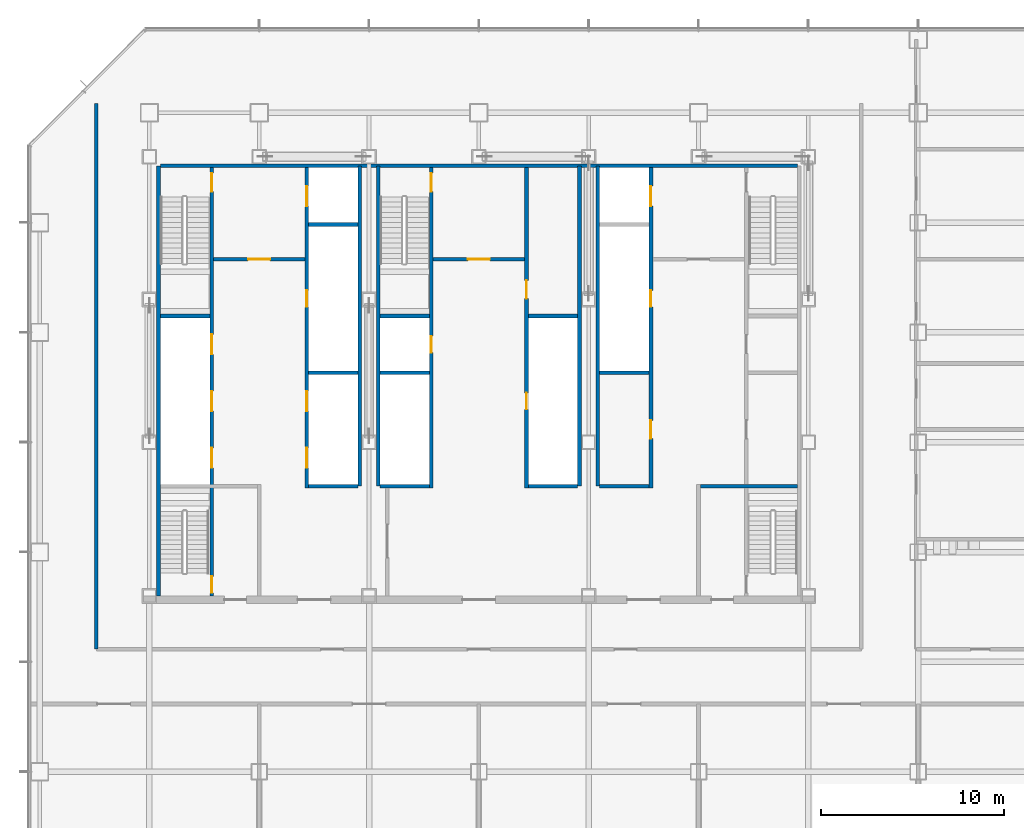
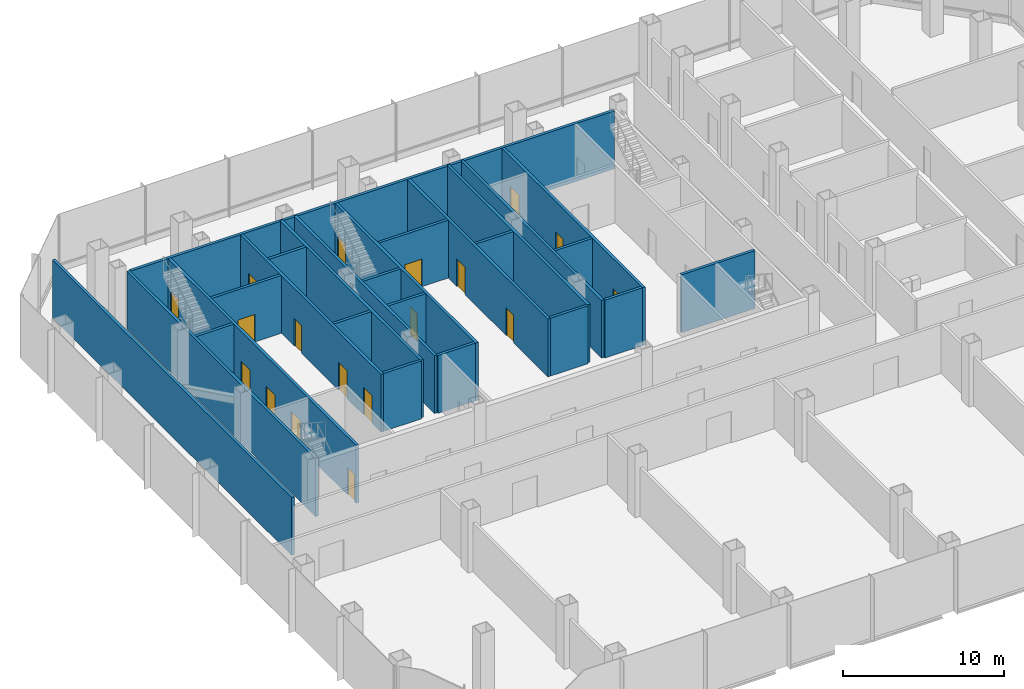
# One storey, part 24 of 33: 26 walls, 18 doors, 18 openings.
"""IFC4 building model written with IfcOpenShell, lengths in metres."""

from ifc_helpers import new_model, si_unit, direction, frame, frame_2d, origin, place, context, subcontext, project, spatial, rectangle, extrude, material, layer, layer_set, type_object, element, fill, save


model = new_model("IFC4")

# Units and contexts
model_context = context("Model", 3, precision=1e-05, world=origin(), true_north=direction((0.0, 1.0)))
body_context = subcontext(model_context, "Body", "Model", "MODEL_VIEW")
ifc_project = project(units=[si_unit("LENGTHUNIT", "METRE"), si_unit("AREAUNIT", "SQUARE_METRE"), si_unit("VOLUMEUNIT", "CUBIC_METRE"), si_unit("PLANEANGLEUNIT", "RADIAN"), si_unit("MASSUNIT", "GRAM", prefix="KILO")], contexts=[model_context])

# Site, building, storey
site_placement = place(None, origin())
site = spatial("IfcSite", under=ifc_project, at=site_placement, CompositionType="ELEMENT")
building_placement = place(site_placement, origin())
building = spatial("IfcBuilding", under=site, at=building_placement, Name="Sorahane Residences", CompositionType="ELEMENT")
storey_placement = place(building_placement, frame((0.0, 0.0, 25.199951171875)))
storey = spatial("IfcBuildingStorey", under=building, at=storey_placement, Name="L03", CompositionType="ELEMENT", Elevation=25.199951171875)

# Walls
ifc_material_1 = material(Name="Concrete C30", Category="concrete")
ifc_layer_1 = layer(ifc_material_1, 0.199951171875)
ifc_layer_set_1 = layer_set([ifc_layer_1], Name="Core face wall 200 EI 180")
wall_type_1 = type_object("IfcWallType", Name="Core face wall 200 EI 180", PredefinedType="SOLIDWALL", material=ifc_layer_set_1)
wall_1_placement = place(storey_placement, frame((6.5, 21.60009765625, 0.0), z_axis=(0.0, 0.0, 1.0), x_axis=(0.0, 1.0, 0.0)))
element("IfcWall", 1, at=wall_1_placement, inside=storey, type_object=wall_type_1, Name="L03 core face wall", PredefinedType="SOLIDWALL", context=body_context, shape_type="SweptSolid", body=[
    extrude(rectangle(XDim=23.5, YDim=0.199951171875, at=frame_2d((11.75, 0.0))), origin(), (0.0, 0.0, 1.0), 4.400146484375),
])
wall_2_placement = place(storey_placement, frame((6.60009765625, 45.10009765625, 0.0), z_axis=(0.0, 0.0, 1.0), x_axis=(1.0, 0.0, 0.0)))
element("IfcWall", 2, at=wall_2_placement, inside=storey, type_object=wall_type_1, Name="L03 core face wall", PredefinedType="SOLIDWALL", context=body_context, shape_type="SweptSolid", body=[
    extrude(rectangle(XDim=34.7998046875, YDim=0.199951171875, at=frame_2d((17.39990234375, 0.0))), origin(), (0.0, 0.0, 1.0), 4.400146484375),
])
for number, where, z_axis, x_axis, name in (
    (3, (17.5, 27.60009765625, 0.0), (0.0, 0.0, 1.0), (0.0, 1.0, 0.0), "L03 core face wall"),
    (4, (18.5, 27.60009765625, 0.0), (0.0, 0.0, 1.0), (0.0, 1.0, 0.0), "L03 core face wall"),
    (5, (29.5, 27.60009765625, 0.0), (0.0, 0.0, 1.0), (0.0, 1.0, 0.0), "L03 core face wall"),
    (6, (30.5, 27.60009765625, 0.0), (0.0, 0.0, 1.0), (0.0, 1.0, 0.0), "L03 core face wall"),
):
    element("IfcWall", number, at=place(storey_placement, frame(where, z_axis=z_axis, x_axis=x_axis)), inside=storey, type_object=wall_type_1, Name=name, PredefinedType="SOLIDWALL", context=body_context, shape_type="SweptSolid", body=[
        extrude(rectangle(XDim=17.5, YDim=0.199951171875, at=frame_2d((8.75, 0.0))), origin(), (0.0, 0.0, 1.0), 4.400146484375),
    ])
ifc_material_2 = material(Name="Concrete blockwork C20 wall", Category="masonry")
ifc_layer_2 = layer(ifc_material_2, 0.199951171875)
ifc_layer_set_2 = layer_set([ifc_layer_2], Name="Corridor wall 200 EI 120")
wall_type_2 = type_object("IfcWallType", Name="Corridor wall 200 EI 120", PredefinedType="SOLIDWALL", material=ifc_layer_set_2)
wall_3_placement = place(storey_placement, frame((3.10009765625, 18.699951171875, 0.0), z_axis=(0.0, 0.0, 1.0), x_axis=(0.0, 1.0, 0.0)))
element("IfcWall", 7, at=wall_3_placement, inside=storey, type_object=wall_type_2, Name="L03 corridor wall", PredefinedType="SOLIDWALL", context=body_context, shape_type="SweptSolid", body=[
    extrude(rectangle(XDim=29.800048828125, YDim=0.199951171875, at=frame_2d((14.89990234375, 0.0))), origin(), (0.0, 0.0, 1.0), 4.400146484375),
])

# Wall, opening, door
ifc_material_3 = material(Name="Concrete C30", Category="concrete")
ifc_layer_3 = layer(ifc_material_3, 0.199951171875)
ifc_layer_set_3 = layer_set([ifc_layer_3], Name="Front room wall 200 EI 120")
wall_type_3 = type_object("IfcWallType", Name="Front room wall 200 EI 120", PredefinedType="PARTITIONING", material=ifc_layer_set_3)
wall_4_placement = place(storey_placement, frame((21.5, 40.0, 0.0), z_axis=(0.0, 0.0, 1.0), x_axis=(1.0, 0.0, 0.0)))
wall_4 = element("IfcWall", 8, at=wall_4_placement, inside=storey, type_object=wall_type_3, Name="L03 front room wall", PredefinedType="PARTITIONING", context=body_context, shape_type="SweptSolid", body=[
    extrude(rectangle(XDim=5.0, YDim=0.199951171875, at=frame_2d((2.5, 0.0))), origin(), (0.0, 0.0, 1.0), 4.400146484375),
])
opening_1_placement = place(wall_4_placement, frame((1.89990234375, 0.0, 0.0)))
opening_1 = element("IfcOpeningElement", 9, at=opening_1_placement, cuts=wall_4, Name="Opening L03-C08", PredefinedType="OPENING", context=body_context, shape_type="SweptSolid", body=[
    extrude(rectangle(XDim=1.199951171875, YDim=2.10009765625, at=frame_2d((0.60009765625, 1.050048828125))), frame((0.0, 0.10986328125, 0.0), z_axis=(0.0, -1.0, 0.0), x_axis=(1.0, 0.0, 0.0)), (0.0, 0.0, 1.0), 0.219970703125),
])
ifc_material_4 = material(Name="Steel", Category="steel")
door_type_1 = type_object("IfcDoorType", Name="Front room door 1200x2100 FD120", OperationType="NOTDEFINED", PredefinedType="DOOR", material=ifc_material_4)
door_1_placement = place(opening_1_placement, frame((1.199951171875, 0.0, 0.0), z_axis=(0.0, 0.0, 1.0), x_axis=(-1.0, 0.0, 0.0)))
door_1 = element("IfcDoor", 10, at=door_1_placement, inside=storey, type_object=door_type_1, Name="Front room door Stair S3 vestibule L03", OperationType="DOUBLE_DOOR_SINGLE_SWING", OverallHeight=2.10009765625, OverallWidth=1.199951171875, PredefinedType="DOOR", context=body_context, shape_type="SweptSolid", body=[
    extrude(rectangle(XDim=1.199951171875, YDim=2.10009765625, at=frame_2d((0.60009765625, 1.050048828125))), frame((0.0, 0.02490234375, 0.0), z_axis=(0.0, -1.0, 0.0), x_axis=(1.0, 0.0, 0.0)), (0.0, 0.0, 1.0), 0.050048828125),
])
fill(opening_1, door_1)

wall_5_placement = place(storey_placement, frame((9.5, 40.0, 0.0), z_axis=(0.0, 0.0, 1.0), x_axis=(1.0, 0.0, 0.0)))
wall_5 = element("IfcWall", 11, at=wall_5_placement, inside=storey, type_object=wall_type_3, Name="L03 front room wall", PredefinedType="PARTITIONING", context=body_context, shape_type="SweptSolid", body=[
    extrude(rectangle(XDim=5.0, YDim=0.199951171875, at=frame_2d((2.5, 0.0))), origin(), (0.0, 0.0, 1.0), 4.400146484375),
])
opening_2_placement = place(wall_5_placement, frame((1.89990234375, 0.0, 0.0)))
opening_2 = element("IfcOpeningElement", 12, at=opening_2_placement, cuts=wall_5, Name="Opening L03-C07", PredefinedType="OPENING", context=body_context, shape_type="SweptSolid", body=[
    extrude(rectangle(XDim=1.199951171875, YDim=2.10009765625, at=frame_2d((0.60009765625, 1.050048828125))), frame((0.0, 0.10986328125, 0.0), z_axis=(0.0, -1.0, 0.0), x_axis=(1.0, 0.0, 0.0)), (0.0, 0.0, 1.0), 0.219970703125),
])
door_2_placement = place(opening_2_placement, frame((1.199951171875, 0.0, 0.0), z_axis=(0.0, 0.0, 1.0), x_axis=(-1.0, 0.0, 0.0)))
door_2 = element("IfcDoor", 13, at=door_2_placement, inside=storey, type_object=door_type_1, Name="Front room door Firefighting lobby FF1 front room L03", OperationType="DOUBLE_DOOR_SINGLE_SWING", OverallHeight=2.10009765625, OverallWidth=1.199951171875, PredefinedType="DOOR", context=body_context, shape_type="SweptSolid", body=[
    extrude(rectangle(XDim=1.199951171875, YDim=2.10009765625, at=frame_2d((0.60009765625, 1.050048828125))), frame((0.0, 0.02490234375, 0.0), z_axis=(0.0, -1.0, 0.0), x_axis=(1.0, 0.0, 0.0)), (0.0, 0.0, 1.0), 0.050048828125),
])
fill(opening_2, door_2)

# Wall, openings, doors
ifc_material_5 = material(Name="Concrete C30", Category="concrete")
ifc_layer_4 = layer(ifc_material_5, 0.199951171875)
ifc_layer_set_4 = layer_set([ifc_layer_4], Name="Lift shaft wall 200 EI 120")
wall_type_4 = type_object("IfcWallType", Name="Lift shaft wall 200 EI 120", PredefinedType="SOLIDWALL", material=ifc_layer_set_4)
wall_6_placement = place(storey_placement, frame((14.60009765625, 27.5, 0.0), z_axis=(0.0, 0.0, 1.0), x_axis=(0.0, 1.0, 0.0)))
wall_6 = element("IfcWall", 14, at=wall_6_placement, inside=storey, type_object=wall_type_4, Name="L03 lift shaft wall", PredefinedType="SOLIDWALL", context=body_context, shape_type="SweptSolid", body=[
    extrude(rectangle(XDim=17.5, YDim=0.199951171875, at=frame_2d((8.75, 0.0))), origin(), (0.0, 0.0, 1.0), 4.400146484375),
])
opening_3_placement = place(wall_6_placement, frame((1.10009765625, 0.0, 0.0)))
opening_3 = element("IfcOpeningElement", 15, at=opening_3_placement, cuts=wall_6, Name="Opening L03-C11", PredefinedType="OPENING", context=body_context, shape_type="SweptSolid", body=[
    extrude(rectangle(XDim=1.10009765625, YDim=2.10009765625, at=frame_2d((0.550048828125, 1.050048828125))), frame((0.0, 0.10986328125, 0.0), z_axis=(0.0, -1.0, 0.0), x_axis=(1.0, 0.0, 0.0)), (0.0, 0.0, 1.0), 0.219970703125),
])
opening_4_placement = place(wall_6_placement, frame((4.199951171875, 0.0, 0.0)))
opening_4 = element("IfcOpeningElement", 16, at=opening_4_placement, cuts=wall_6, Name="Opening L03-C12", PredefinedType="OPENING", context=body_context, shape_type="SweptSolid", body=[
    extrude(rectangle(XDim=1.10009765625, YDim=2.10009765625, at=frame_2d((0.550048828125, 1.050048828125))), frame((0.0, 0.10986328125, 0.0), z_axis=(0.0, -1.0, 0.0), x_axis=(1.0, 0.0, 0.0)), (0.0, 0.0, 1.0), 0.219970703125),
])
opening_5_placement = place(wall_6_placement, frame((15.39990234375, 0.0, 0.0)))
opening_5 = element("IfcOpeningElement", 17, at=opening_5_placement, cuts=wall_6, Name="Opening L03-C13", PredefinedType="OPENING", context=body_context, shape_type="SweptSolid", body=[
    extrude(rectangle(XDim=1.10009765625, YDim=2.10009765625, at=frame_2d((0.550048828125, 1.050048828125))), frame((0.0, 0.10986328125, 0.0), z_axis=(0.0, -1.0, 0.0), x_axis=(1.0, 0.0, 0.0)), (0.0, 0.0, 1.0), 0.219970703125),
])
opening_6_placement = place(wall_6_placement, frame((9.89990234375, 0.0, 0.0)))
opening_6 = element("IfcOpeningElement", 18, at=opening_6_placement, cuts=wall_6, Name="Opening L03-C25", PredefinedType="OPENING", context=body_context, shape_type="SweptSolid", body=[
    extrude(rectangle(XDim=0.89990234375, YDim=2.10009765625, at=frame_2d((0.449951171875, 1.050048828125))), frame((0.0, 0.10986328125, 0.0), z_axis=(0.0, -1.0, 0.0), x_axis=(1.0, 0.0, 0.0)), (0.0, 0.0, 1.0), 0.219970703125),
])
ifc_material_6 = material(Name="Aluminium and stainless steel", Category="steel")
door_type_2 = type_object("IfcDoorType", Name="Lift landing door 1100x2100 E 60", OperationType="NOTDEFINED", PredefinedType="DOOR", material=ifc_material_6)
door_3_placement = place(opening_3_placement, origin())
door_3 = element("IfcDoor", 19, at=door_3_placement, inside=storey, type_object=door_type_2, Name="Lift landing door LR4 L03", OperationType="DOUBLE_DOOR_SLIDING", OverallHeight=2.10009765625, OverallWidth=1.10009765625, PredefinedType="DOOR", context=body_context, shape_type="SweptSolid", body=[
    extrude(rectangle(XDim=1.10009765625, YDim=2.10009765625, at=frame_2d((0.550048828125, 1.050048828125))), frame((0.0, 0.02490234375, 0.0), z_axis=(0.0, -1.0, 0.0), x_axis=(1.0, 0.0, 0.0)), (0.0, 0.0, 1.0), 0.050048828125),
])
fill(opening_3, door_3)
door_4_placement = place(opening_4_placement, origin())
door_4 = element("IfcDoor", 20, at=door_4_placement, inside=storey, type_object=door_type_2, Name="Lift landing door LR5 L03", OperationType="DOUBLE_DOOR_SLIDING", OverallHeight=2.10009765625, OverallWidth=1.10009765625, PredefinedType="DOOR", context=body_context, shape_type="SweptSolid", body=[
    extrude(rectangle(XDim=1.10009765625, YDim=2.10009765625, at=frame_2d((0.550048828125, 1.050048828125))), frame((0.0, 0.02490234375, 0.0), z_axis=(0.0, -1.0, 0.0), x_axis=(1.0, 0.0, 0.0)), (0.0, 0.0, 1.0), 0.050048828125),
])
fill(opening_4, door_4)
door_5_placement = place(opening_5_placement, origin())
door_5 = element("IfcDoor", 21, at=door_5_placement, inside=storey, type_object=door_type_2, Name="Lift landing door FF1 L03", OperationType="DOUBLE_DOOR_SLIDING", OverallHeight=2.10009765625, OverallWidth=1.10009765625, PredefinedType="DOOR", context=body_context, shape_type="SweptSolid", body=[
    extrude(rectangle(XDim=1.10009765625, YDim=2.10009765625, at=frame_2d((0.550048828125, 1.050048828125))), frame((0.0, 0.02490234375, 0.0), z_axis=(0.0, -1.0, 0.0), x_axis=(1.0, 0.0, 0.0)), (0.0, 0.0, 1.0), 0.050048828125),
])
fill(opening_5, door_5)
ifc_material_7 = material(Name="Steel", Category="steel")
door_type_3 = type_object("IfcDoorType", Name="Riser door 900x2100 FD120", OperationType="NOTDEFINED", PredefinedType="DOOR", material=ifc_material_7)
door_6_placement = place(opening_6_placement, origin())
door_6 = element("IfcDoor", 22, at=door_6_placement, inside=storey, type_object=door_type_3, Name="Riser door R1 L03", OperationType="SINGLE_SWING_LEFT", OverallHeight=2.10009765625, OverallWidth=0.89990234375, PredefinedType="DOOR", context=body_context, shape_type="SweptSolid", body=[
    extrude(rectangle(XDim=0.89990234375, YDim=2.10009765625, at=frame_2d((0.449951171875, 1.050048828125))), frame((0.0, 0.02490234375, 0.0), z_axis=(0.0, -1.0, 0.0), x_axis=(1.0, 0.0, 0.0)), (0.0, 0.0, 1.0), 0.050048828125),
])
fill(opening_6, door_6)

wall_7_placement = place(storey_placement, frame((33.39990234375, 27.5, 0.0), z_axis=(0.0, 0.0, 1.0), x_axis=(0.0, 1.0, 0.0)))
wall_7 = element("IfcWall", 23, at=wall_7_placement, inside=storey, type_object=wall_type_4, Name="L03 lift shaft wall", PredefinedType="SOLIDWALL", context=body_context, shape_type="SweptSolid", body=[
    extrude(rectangle(XDim=17.5, YDim=0.199951171875, at=frame_2d((8.75, 0.0))), origin(), (0.0, 0.0, 1.0), 4.400146484375),
])
opening_7_placement = place(wall_7_placement, frame((15.39990234375, 0.0, 0.0)))
opening_7 = element("IfcOpeningElement", 24, at=opening_7_placement, cuts=wall_7, Name="Opening L03-C10", PredefinedType="OPENING", context=body_context, shape_type="SweptSolid", body=[
    extrude(rectangle(XDim=1.10009765625, YDim=2.10009765625, at=frame_2d((0.550048828125, 1.050048828125))), frame((0.0, 0.10986328125, 0.0), z_axis=(0.0, -1.0, 0.0), x_axis=(1.0, 0.0, 0.0)), (0.0, 0.0, 1.0), 0.219970703125),
])
opening_8_placement = place(wall_7_placement, frame((2.699951171875, 0.0, 0.0)))
opening_8 = element("IfcOpeningElement", 25, at=opening_8_placement, cuts=wall_7, Name="Opening L03-C19", PredefinedType="OPENING", context=body_context, shape_type="SweptSolid", body=[
    extrude(rectangle(XDim=1.0, YDim=2.10009765625, at=frame_2d((0.5, 1.050048828125))), frame((0.0, 0.10986328125, 0.0), z_axis=(0.0, -1.0, 0.0), x_axis=(1.0, 0.0, 0.0)), (0.0, 0.0, 1.0), 0.219970703125),
])
opening_9_placement = place(wall_7_placement, frame((9.89990234375, 0.0, 0.0)))
opening_9 = element("IfcOpeningElement", 26, at=opening_9_placement, cuts=wall_7, Name="Opening L03-C26", PredefinedType="OPENING", context=body_context, shape_type="SweptSolid", body=[
    extrude(rectangle(XDim=0.89990234375, YDim=2.10009765625, at=frame_2d((0.449951171875, 1.050048828125))), frame((0.0, 0.10986328125, 0.0), z_axis=(0.0, -1.0, 0.0), x_axis=(1.0, 0.0, 0.0)), (0.0, 0.0, 1.0), 0.219970703125),
])
door_7_placement = place(opening_7_placement, origin())
door_7 = element("IfcDoor", 27, at=door_7_placement, inside=storey, type_object=door_type_2, Name="Lift landing door FF2 L03", OperationType="DOUBLE_DOOR_SLIDING", OverallHeight=2.10009765625, OverallWidth=1.10009765625, PredefinedType="DOOR", context=body_context, shape_type="SweptSolid", body=[
    extrude(rectangle(XDim=1.10009765625, YDim=2.10009765625, at=frame_2d((0.550048828125, 1.050048828125))), frame((0.0, 0.02490234375, 0.0), z_axis=(0.0, -1.0, 0.0), x_axis=(1.0, 0.0, 0.0)), (0.0, 0.0, 1.0), 0.050048828125),
])
fill(opening_7, door_7)
door_8_placement = place(opening_9_placement, frame((0.89990234375, 0.0, 0.0), z_axis=(0.0, 0.0, 1.0), x_axis=(-1.0, 0.0, 0.0)))
door_8 = element("IfcDoor", 28, at=door_8_placement, inside=storey, type_object=door_type_3, Name="Riser door R2 L03", OperationType="SINGLE_SWING_LEFT", OverallHeight=2.10009765625, OverallWidth=0.89990234375, PredefinedType="DOOR", context=body_context, shape_type="SweptSolid", body=[
    extrude(rectangle(XDim=0.89990234375, YDim=2.10009765625, at=frame_2d((0.449951171875, 1.050048828125))), frame((0.0, 0.02490234375, 0.0), z_axis=(0.0, -1.0, 0.0), x_axis=(1.0, 0.0, 0.0)), (0.0, 0.0, 1.0), 0.050048828125),
])
fill(opening_9, door_8)
ifc_material_8 = material(Name="Steel", Category="steel")
door_type_4 = type_object("IfcDoorType", Name="Service room door 1000x2100 FD60", OperationType="NOTDEFINED", PredefinedType="DOOR", material=ifc_material_8)
door_9_placement = place(opening_8_placement, origin())
door_9 = element("IfcDoor", 29, at=door_9_placement, inside=storey, type_object=door_type_4, Name="Service room door Lounge L03", OperationType="SINGLE_SWING_RIGHT", OverallHeight=2.10009765625, OverallWidth=1.0, PredefinedType="DOOR", context=body_context, shape_type="SweptSolid", body=[
    extrude(rectangle(XDim=1.0, YDim=2.10009765625, at=frame_2d((0.5, 1.050048828125))), frame((0.0, 0.02490234375, 0.0), z_axis=(0.0, -1.0, 0.0), x_axis=(1.0, 0.0, 0.0)), (0.0, 0.0, 1.0), 0.050048828125),
])
fill(opening_8, door_9)

# Walls
for number, where, z_axis, x_axis, name in (
    (30, (14.699951171875, 27.60009765625, 0.0), (0.0, 0.0, 1.0), (1.0, 0.0, 0.0), "L03 lift shaft wall"),
    (31, (18.60009765625, 27.60009765625, 0.0), (0.0, 0.0, 1.0), (1.0, 0.0, 0.0), "L03 lift shaft wall"),
    (32, (14.699951171875, 33.800048828125, 0.0), (0.0, 0.0, 1.0), (1.0, 0.0, 0.0), "L03 lift shaft wall"),
    (33, (18.60009765625, 33.800048828125, 0.0), (0.0, 0.0, 1.0), (1.0, 0.0, 0.0), "L03 lift shaft wall"),
    (34, (14.699951171875, 41.89990234375, 0.0), (0.0, 0.0, 1.0), (1.0, 0.0, 0.0), "L03 lift shaft wall"),
):
    element("IfcWall", number, at=place(storey_placement, frame(where, z_axis=z_axis, x_axis=x_axis)), inside=storey, type_object=wall_type_4, Name=name, PredefinedType="SOLIDWALL", context=body_context, shape_type="SweptSolid", body=[
        extrude(rectangle(XDim=2.699951171875, YDim=0.199951171875, at=frame_2d((1.35009765625, 0.0))), origin(), (0.0, 0.0, 1.0), 4.400146484375),
    ])

# Wall, openings, doors
ifc_material_9 = material(Name="Concrete C30", Category="concrete")
ifc_layer_5 = layer(ifc_material_9, 0.199951171875)
ifc_layer_set_5 = layer_set([ifc_layer_5], Name="Riser shaft wall 200 EI 120")
wall_type_5 = type_object("IfcWallType", Name="Riser shaft wall 200 EI 120", PredefinedType="SOLIDWALL", material=ifc_layer_set_5)
wall_8_placement = place(storey_placement, frame((26.60009765625, 27.5, 0.0), z_axis=(0.0, 0.0, 1.0), x_axis=(0.0, 1.0, 0.0)))
wall_8 = element("IfcWall", 35, at=wall_8_placement, inside=storey, type_object=wall_type_5, Name="L03 riser wall", PredefinedType="SOLIDWALL", context=body_context, shape_type="SweptSolid", body=[
    extrude(rectangle(XDim=17.5, YDim=0.199951171875, at=frame_2d((8.75, 0.0))), origin(), (0.0, 0.0, 1.0), 4.400146484375),
])
opening_10_placement = place(wall_8_placement, frame((4.300048828125, 0.0, 0.0)))
opening_10 = element("IfcOpeningElement", 36, at=opening_10_placement, cuts=wall_8, Name="Opening L03-C28", PredefinedType="OPENING", context=body_context, shape_type="SweptSolid", body=[
    extrude(rectangle(XDim=0.89990234375, YDim=2.10009765625, at=frame_2d((0.449951171875, 1.050048828125))), frame((0.0, 0.10986328125, 0.0), z_axis=(0.0, -1.0, 0.0), x_axis=(1.0, 0.0, 0.0)), (0.0, 0.0, 1.0), 0.219970703125),
])
opening_11_placement = place(wall_8_placement, frame((10.35009765625, 0.0, 0.0)))
opening_11 = element("IfcOpeningElement", 37, at=opening_11_placement, cuts=wall_8, Name="Opening L03-C29", PredefinedType="OPENING", context=body_context, shape_type="SweptSolid", body=[
    extrude(rectangle(XDim=1.0, YDim=2.10009765625, at=frame_2d((0.5, 1.050048828125))), frame((0.0, 0.10986328125, 0.0), z_axis=(0.0, -1.0, 0.0), x_axis=(1.0, 0.0, 0.0)), (0.0, 0.0, 1.0), 0.219970703125),
])
door_10_placement = place(opening_10_placement, origin())
door_10 = element("IfcDoor", 38, at=door_10_placement, inside=storey, type_object=door_type_3, Name="Riser door R4 L03", OperationType="SINGLE_SWING_LEFT", OverallHeight=2.10009765625, OverallWidth=0.89990234375, PredefinedType="DOOR", context=body_context, shape_type="SweptSolid", body=[
    extrude(rectangle(XDim=0.89990234375, YDim=2.10009765625, at=frame_2d((0.449951171875, 1.050048828125))), frame((0.0, 0.02490234375, 0.0), z_axis=(0.0, -1.0, 0.0), x_axis=(1.0, 0.0, 0.0)), (0.0, 0.0, 1.0), 0.050048828125),
])
fill(opening_10, door_10)
door_11_placement = place(opening_11_placement, frame((1.0, 0.0, 0.0), z_axis=(0.0, 0.0, 1.0), x_axis=(-1.0, 0.0, 0.0)))
door_11 = element("IfcDoor", 39, at=door_11_placement, inside=storey, type_object=door_type_4, Name="Service room door Housekeeping store L03", OperationType="SINGLE_SWING_LEFT", OverallHeight=2.10009765625, OverallWidth=1.0, PredefinedType="DOOR", context=body_context, shape_type="SweptSolid", body=[
    extrude(rectangle(XDim=1.0, YDim=2.10009765625, at=frame_2d((0.5, 1.050048828125))), frame((0.0, 0.02490234375, 0.0), z_axis=(0.0, -1.0, 0.0), x_axis=(1.0, 0.0, 0.0)), (0.0, 0.0, 1.0), 0.050048828125),
])
fill(opening_11, door_11)

# Walls
for number, where, z_axis, x_axis, name in (
    (40, (26.699951171875, 27.60009765625, 0.0), (0.0, 0.0, 1.0), (1.0, 0.0, 0.0), "L03 riser wall"),
    (41, (30.60009765625, 33.800048828125, 0.0), (0.0, 0.0, 1.0), (1.0, 0.0, 0.0), "L03 riser wall"),
    (42, (26.699951171875, 36.89990234375, 0.0), (0.0, 0.0, 1.0), (1.0, 0.0, 0.0), "L03 riser wall"),
):
    element("IfcWall", number, at=place(storey_placement, frame(where, z_axis=z_axis, x_axis=x_axis)), inside=storey, type_object=wall_type_5, Name=name, PredefinedType="SOLIDWALL", context=body_context, shape_type="SweptSolid", body=[
        extrude(rectangle(XDim=2.699951171875, YDim=0.199951171875, at=frame_2d((1.35009765625, 0.0))), origin(), (0.0, 0.0, 1.0), 4.400146484375),
    ])
ifc_material_10 = material(Name="Concrete C30", Category="concrete")
ifc_layer_6 = layer(ifc_material_10, 0.199951171875)
ifc_layer_set_6 = layer_set([ifc_layer_6], Name="Service room partition 200 EI 60")
wall_type_6 = type_object("IfcWallType", Name="Service room partition 200 EI 60", PredefinedType="PARTITIONING", material=ifc_layer_set_6)
wall_9_placement = place(storey_placement, frame((30.60009765625, 27.60009765625, 0.0), z_axis=(0.0, 0.0, 1.0), x_axis=(1.0, 0.0, 0.0)))
element("IfcWall", 43, at=wall_9_placement, inside=storey, type_object=wall_type_6, Name="L03 service room wall", PredefinedType="PARTITIONING", context=body_context, shape_type="SweptSolid", body=[
    extrude(rectangle(XDim=2.699951171875, YDim=0.199951171875, at=frame_2d((1.35009765625, 0.0))), origin(), (0.0, 0.0, 1.0), 4.400146484375),
])

# Wall, openings, doors
ifc_material_11 = material(Name="Concrete C30", Category="concrete")
ifc_layer_7 = layer(ifc_material_11, 0.199951171875)
ifc_layer_set_7 = layer_set([ifc_layer_7], Name="Stair enclosure wall 200 EI 120")
wall_type_7 = type_object("IfcWallType", Name="Stair enclosure wall 200 EI 120", PredefinedType="SOLIDWALL", material=ifc_layer_set_7)
wall_10_placement = place(storey_placement, frame((21.39990234375, 27.5, 0.0), z_axis=(0.0, 0.0, 1.0), x_axis=(0.0, 1.0, 0.0)))
wall_10 = element("IfcWall", 44, at=wall_10_placement, inside=storey, type_object=wall_type_7, Name="L03 stair enclosure wall", PredefinedType="SOLIDWALL", context=body_context, shape_type="SweptSolid", body=[
    extrude(rectangle(XDim=17.5, YDim=0.199951171875, at=frame_2d((8.75, 0.0))), origin(), (0.0, 0.0, 1.0), 4.400146484375),
])
opening_12_placement = place(wall_10_placement, frame((16.199951171875, 0.0, 0.0)))
opening_12 = element("IfcOpeningElement", 45, at=opening_12_placement, cuts=wall_10, Name="Opening L03-C22", PredefinedType="OPENING", context=body_context, shape_type="SweptSolid", body=[
    extrude(rectangle(XDim=1.0, YDim=2.10009765625, at=frame_2d((0.5, 1.050048828125))), frame((0.0, 0.10986328125, 0.0), z_axis=(0.0, -1.0, 0.0), x_axis=(1.0, 0.0, 0.0)), (0.0, 0.0, 1.0), 0.219970703125),
])
opening_13_placement = place(wall_10_placement, frame((7.39990234375, 0.0, 0.0)))
opening_13 = element("IfcOpeningElement", 46, at=opening_13_placement, cuts=wall_10, Name="Opening L03-C27", PredefinedType="OPENING", context=body_context, shape_type="SweptSolid", body=[
    extrude(rectangle(XDim=0.89990234375, YDim=2.10009765625, at=frame_2d((0.449951171875, 1.050048828125))), frame((0.0, 0.10986328125, 0.0), z_axis=(0.0, -1.0, 0.0), x_axis=(1.0, 0.0, 0.0)), (0.0, 0.0, 1.0), 0.219970703125),
])
door_12_placement = place(opening_13_placement, frame((0.89990234375, 0.0, 0.0), z_axis=(0.0, 0.0, 1.0), x_axis=(-1.0, 0.0, 0.0)))
door_12 = element("IfcDoor", 47, at=door_12_placement, inside=storey, type_object=door_type_3, Name="Riser door R3 L03", OperationType="SINGLE_SWING_LEFT", OverallHeight=2.10009765625, OverallWidth=0.89990234375, PredefinedType="DOOR", context=body_context, shape_type="SweptSolid", body=[
    extrude(rectangle(XDim=0.89990234375, YDim=2.10009765625, at=frame_2d((0.449951171875, 1.050048828125))), frame((0.0, 0.02490234375, 0.0), z_axis=(0.0, -1.0, 0.0), x_axis=(1.0, 0.0, 0.0)), (0.0, 0.0, 1.0), 0.050048828125),
])
fill(opening_13, door_12)
ifc_material_12 = material(Name="Steel", Category="steel")
door_type_5 = type_object("IfcDoorType", Name="Stair door 1000x2100 FD120", OperationType="NOTDEFINED", PredefinedType="DOOR", material=ifc_material_12)
door_13_placement = place(opening_12_placement, origin())
door_13 = element("IfcDoor", 48, at=door_13_placement, inside=storey, type_object=door_type_5, Name="Stair door S3 L03", OperationType="SINGLE_SWING_LEFT", OverallHeight=2.10009765625, OverallWidth=1.0, PredefinedType="DOOR", context=body_context, shape_type="SweptSolid", body=[
    extrude(rectangle(XDim=1.0, YDim=2.10009765625, at=frame_2d((0.5, 1.050048828125))), frame((0.0, 0.02490234375, 0.0), z_axis=(0.0, -1.0, 0.0), x_axis=(1.0, 0.0, 0.0)), (0.0, 0.0, 1.0), 0.050048828125),
])
fill(opening_12, door_13)

wall_11_placement = place(storey_placement, frame((9.39990234375, 21.60009765625, 0.0), z_axis=(0.0, 0.0, 1.0), x_axis=(0.0, 1.0, 0.0)))
wall_11 = element("IfcWall", 49, at=wall_11_placement, inside=storey, type_object=wall_type_7, Name="L03 stair enclosure wall", PredefinedType="SOLIDWALL", context=body_context, shape_type="SweptSolid", body=[
    extrude(rectangle(XDim=23.39990234375, YDim=0.199951171875, at=frame_2d((11.699951171875, 0.0))), origin(), (0.0, 0.0, 1.0), 4.400146484375),
])
opening_14_placement = place(wall_11_placement, frame((7.0, 0.0, 0.0)))
opening_14 = element("IfcOpeningElement", 50, at=opening_14_placement, cuts=wall_11, Name="Opening L03-C14", PredefinedType="OPENING", context=body_context, shape_type="SweptSolid", body=[
    extrude(rectangle(XDim=1.10009765625, YDim=2.10009765625, at=frame_2d((0.550048828125, 1.050048828125))), frame((0.0, 0.10986328125, 0.0), z_axis=(0.0, -1.0, 0.0), x_axis=(1.0, 0.0, 0.0)), (0.0, 0.0, 1.0), 0.219970703125),
])
opening_15_placement = place(wall_11_placement, frame((10.10009765625, 0.0, 0.0)))
opening_15 = element("IfcOpeningElement", 51, at=opening_15_placement, cuts=wall_11, Name="Opening L03-C15", PredefinedType="OPENING", context=body_context, shape_type="SweptSolid", body=[
    extrude(rectangle(XDim=1.10009765625, YDim=2.10009765625, at=frame_2d((0.550048828125, 1.050048828125))), frame((0.0, 0.10986328125, 0.0), z_axis=(0.0, -1.0, 0.0), x_axis=(1.0, 0.0, 0.0)), (0.0, 0.0, 1.0), 0.219970703125),
])
opening_16_placement = place(wall_11_placement, frame((13.199951171875, 0.0, 0.0)))
opening_16 = element("IfcOpeningElement", 52, at=opening_16_placement, cuts=wall_11, Name="Opening L03-C16", PredefinedType="OPENING", context=body_context, shape_type="SweptSolid", body=[
    extrude(rectangle(XDim=1.10009765625, YDim=2.10009765625, at=frame_2d((0.550048828125, 1.050048828125))), frame((0.0, 0.10986328125, 0.0), z_axis=(0.0, -1.0, 0.0), x_axis=(1.0, 0.0, 0.0)), (0.0, 0.0, 1.0), 0.219970703125),
])
opening_17_placement = place(wall_11_placement, frame((22.10009765625, 0.0, 0.0)))
opening_17 = element("IfcOpeningElement", 53, at=opening_17_placement, cuts=wall_11, Name="Opening L03-C20", PredefinedType="OPENING", context=body_context, shape_type="SweptSolid", body=[
    extrude(rectangle(XDim=1.0, YDim=2.10009765625, at=frame_2d((0.5, 1.050048828125))), frame((0.0, 0.10986328125, 0.0), z_axis=(0.0, -1.0, 0.0), x_axis=(1.0, 0.0, 0.0)), (0.0, 0.0, 1.0), 0.219970703125),
])
opening_18_placement = place(wall_11_placement, frame((0.175048828125, 0.0, 0.0)))
opening_18 = element("IfcOpeningElement", 54, at=opening_18_placement, cuts=wall_11, Name="Opening L03-C23", PredefinedType="OPENING", context=body_context, shape_type="SweptSolid", body=[
    extrude(rectangle(XDim=0.89990234375, YDim=2.10009765625, at=frame_2d((0.449951171875, 1.050048828125))), frame((0.0, 0.10986328125, 0.0), z_axis=(0.0, -1.0, 0.0), x_axis=(1.0, 0.0, 0.0)), (0.0, 0.0, 1.0), 0.219970703125),
])
door_14_placement = place(opening_14_placement, origin())
door_14 = element("IfcDoor", 55, at=door_14_placement, inside=storey, type_object=door_type_2, Name="Lift landing door LR1 L03", OperationType="DOUBLE_DOOR_SLIDING", OverallHeight=2.10009765625, OverallWidth=1.10009765625, PredefinedType="DOOR", context=body_context, shape_type="SweptSolid", body=[
    extrude(rectangle(XDim=1.10009765625, YDim=2.10009765625, at=frame_2d((0.550048828125, 1.050048828125))), frame((0.0, 0.02490234375, 0.0), z_axis=(0.0, -1.0, 0.0), x_axis=(1.0, 0.0, 0.0)), (0.0, 0.0, 1.0), 0.050048828125),
])
fill(opening_14, door_14)
door_15_placement = place(opening_15_placement, origin())
door_15 = element("IfcDoor", 56, at=door_15_placement, inside=storey, type_object=door_type_2, Name="Lift landing door LR2 L03", OperationType="DOUBLE_DOOR_SLIDING", OverallHeight=2.10009765625, OverallWidth=1.10009765625, PredefinedType="DOOR", context=body_context, shape_type="SweptSolid", body=[
    extrude(rectangle(XDim=1.10009765625, YDim=2.10009765625, at=frame_2d((0.550048828125, 1.050048828125))), frame((0.0, 0.02490234375, 0.0), z_axis=(0.0, -1.0, 0.0), x_axis=(1.0, 0.0, 0.0)), (0.0, 0.0, 1.0), 0.050048828125),
])
fill(opening_15, door_15)
door_16_placement = place(opening_16_placement, origin())
door_16 = element("IfcDoor", 57, at=door_16_placement, inside=storey, type_object=door_type_2, Name="Lift landing door LR3 L03", OperationType="DOUBLE_DOOR_SLIDING", OverallHeight=2.10009765625, OverallWidth=1.10009765625, PredefinedType="DOOR", context=body_context, shape_type="SweptSolid", body=[
    extrude(rectangle(XDim=1.10009765625, YDim=2.10009765625, at=frame_2d((0.550048828125, 1.050048828125))), frame((0.0, 0.02490234375, 0.0), z_axis=(0.0, -1.0, 0.0), x_axis=(1.0, 0.0, 0.0)), (0.0, 0.0, 1.0), 0.050048828125),
])
fill(opening_16, door_16)
door_17_placement = place(opening_17_placement, origin())
door_17 = element("IfcDoor", 58, at=door_17_placement, inside=storey, type_object=door_type_5, Name="Stair door S1 L03", OperationType="SINGLE_SWING_LEFT", OverallHeight=2.10009765625, OverallWidth=1.0, PredefinedType="DOOR", context=body_context, shape_type="SweptSolid", body=[
    extrude(rectangle(XDim=1.0, YDim=2.10009765625, at=frame_2d((0.5, 1.050048828125))), frame((0.0, 0.02490234375, 0.0), z_axis=(0.0, -1.0, 0.0), x_axis=(1.0, 0.0, 0.0)), (0.0, 0.0, 1.0), 0.050048828125),
])
fill(opening_17, door_17)
ifc_material_13 = material(Name="Steel", Category="steel")
door_type_6 = type_object("IfcDoorType", Name="Stair door 900x2100 FD120", OperationType="NOTDEFINED", PredefinedType="DOOR", material=ifc_material_13)
door_18_placement = place(opening_18_placement, origin())
door_18 = element("IfcDoor", 59, at=door_18_placement, inside=storey, type_object=door_type_6, Name="Stair door S4 L03", OperationType="SINGLE_SWING_LEFT", OverallHeight=2.10009765625, OverallWidth=0.89990234375, PredefinedType="DOOR", context=body_context, shape_type="SweptSolid", body=[
    extrude(rectangle(XDim=0.89990234375, YDim=2.10009765625, at=frame_2d((0.449951171875, 1.050048828125))), frame((0.0, 0.02490234375, 0.0), z_axis=(0.0, -1.0, 0.0), x_axis=(1.0, 0.0, 0.0)), (0.0, 0.0, 1.0), 0.050048828125),
])
fill(opening_18, door_18)

# Walls
wall_12_placement = place(storey_placement, frame((36.10009765625, 27.60009765625, 0.0), z_axis=(0.0, 0.0, 1.0), x_axis=(1.0, 0.0, 0.0)))
element("IfcWall", 60, at=wall_12_placement, inside=storey, type_object=wall_type_7, Name="L03 stair enclosure wall", PredefinedType="SOLIDWALL", context=body_context, shape_type="SweptSolid", body=[
    extrude(rectangle(XDim=5.2998046875, YDim=0.199951171875, at=frame_2d((2.64990234375, 0.0))), origin(), (0.0, 0.0, 1.0), 4.400146484375),
])
for number, where, z_axis, x_axis, name in (
    (61, (18.60009765625, 36.89990234375, 0.0), (0.0, 0.0, 1.0), (1.0, 0.0, 0.0), "L03 stair enclosure wall"),
    (62, (6.60009765625, 36.89990234375, 0.0), (0.0, 0.0, 1.0), (1.0, 0.0, 0.0), "L03 stair enclosure wall"),
):
    element("IfcWall", number, at=place(storey_placement, frame(where, z_axis=z_axis, x_axis=x_axis)), inside=storey, type_object=wall_type_7, Name=name, PredefinedType="SOLIDWALL", context=body_context, shape_type="SweptSolid", body=[
        extrude(rectangle(XDim=2.699951171875, YDim=0.199951171875, at=frame_2d((1.35009765625, 0.0))), origin(), (0.0, 0.0, 1.0), 4.400146484375),
    ])

save(model, "model.ifc")
